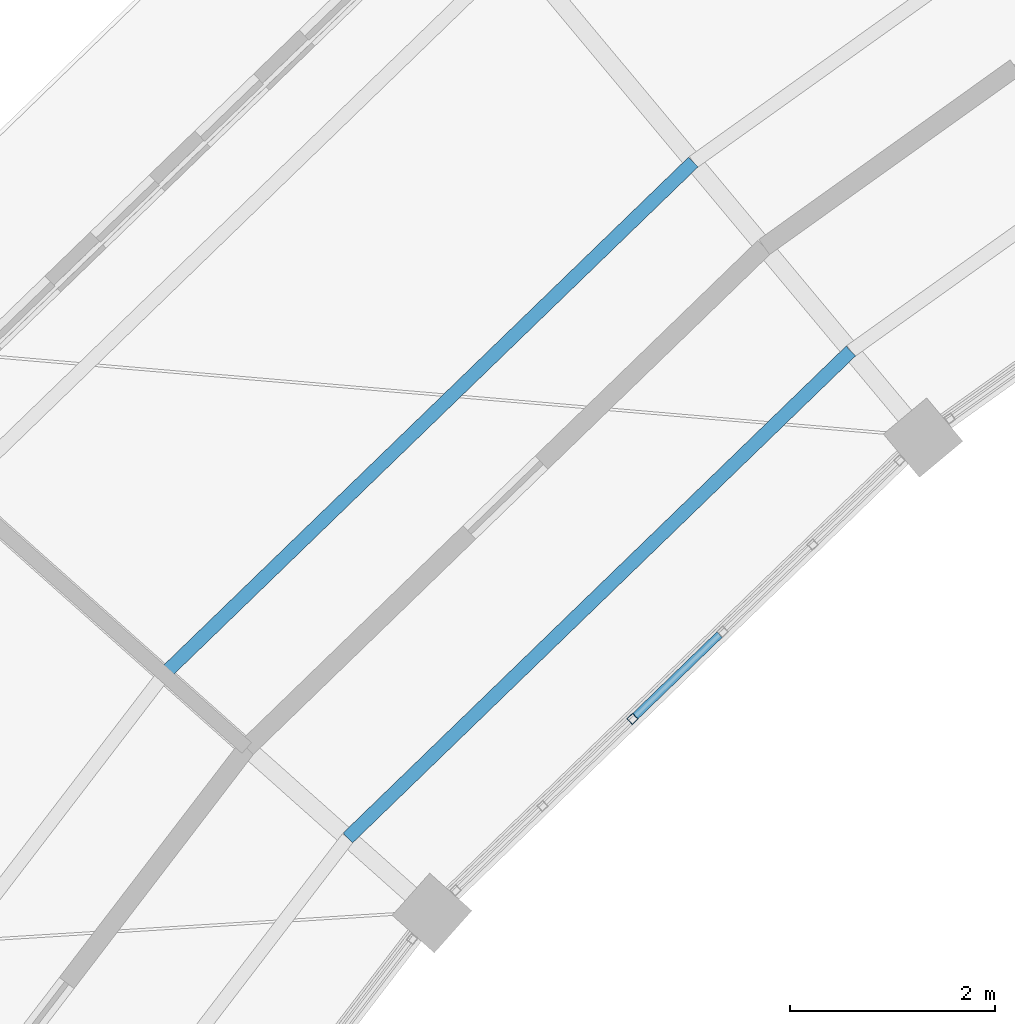
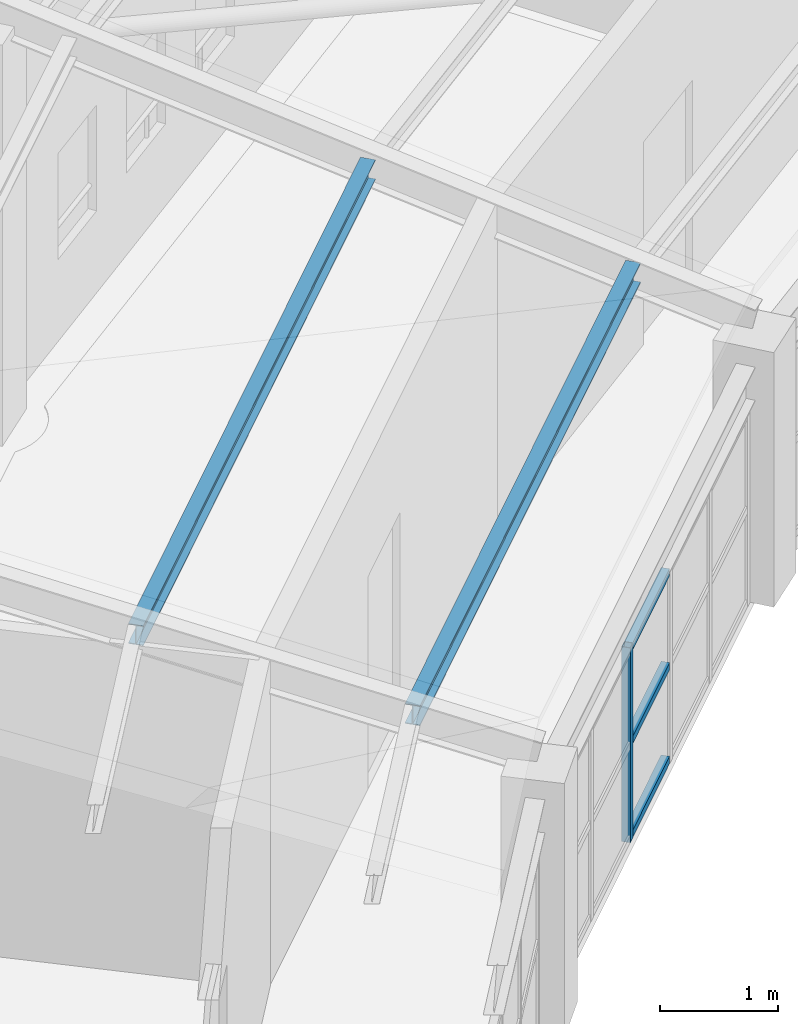
# One storey, part 72 of 149: 6 members, 1 element without a shape of its own.
"""IFC4 building model written with IfcOpenShell, lengths in metres."""

import ifcopenshell
import ifcopenshell.guid

model = None  # the IFC model being written
_history = None  # IfcOwnerHistory: only IFC2X3 demands one
_inside = {}  # id of a spatial element -> (the spatial element, [elements in it])
_under = {}  # id of a project, library or spatial element -> (it, [spatial elements below it])
_declared = {}  # id of a project -> (the project, [libraries it declares])
_typed = {}  # id of a type object -> (the type object, [elements of that type])
_made_of = {}  # id of a material, layer set ... -> (it, [elements and type objects made of it])


def new_model(schema):
    """Start an empty IFC model of exactly this schema.

    Asked for "IFC4X3", IfcOpenShell would pick the latest addendum, in which some entities
    have other attributes; the version numbers below select the first issue.
    IFC2X3 requires an IfcOwnerHistory on every rooted entity: one is made here for all.
    """
    global model, _history
    if schema == "IFC4X3":
        model = ifcopenshell.file(schema_version=(4, 3, 0, 0))
    else:
        model = ifcopenshell.file(schema=schema)
    _inside.clear()
    _under.clear()
    _declared.clear()
    _typed.clear()
    _made_of.clear()
    _history = None
    if model.schema == "IFC2X3":
        org = make("IfcOrganization", Name="unknown")
        user = make(
            "IfcPersonAndOrganization",
            ThePerson=make("IfcPerson", FamilyName="unknown"),
            TheOrganization=org,
        )
        app = make(
            "IfcApplication",
            ApplicationDeveloper=org,
            Version="unknown",
            ApplicationFullName="unknown",
            ApplicationIdentifier="unknown",
        )
        _history = make(
            "IfcOwnerHistory",
            OwningUser=user,
            OwningApplication=app,
            ChangeAction="ADDED",
            CreationDate=0,
        )
    return model


def make(cls, **values):
    """One entity of the class cls with the attributes given. An attribute that is None is left unset."""
    return model.create_entity(
        cls, **{name: value for name, value in values.items() if value is not None}
    )


def rooted(cls, **values):
    """An entity with a GlobalId (a new one), such as an element, a storey or a relation."""
    return make(cls, GlobalId=ifcopenshell.guid.new(), OwnerHistory=_history, **values)


def si_unit(unit_type, name, prefix=None):
    """IfcSIUnit, for example si_unit("LENGTHUNIT", "METRE", prefix="MILLI")."""
    return make("IfcSIUnit", UnitType=unit_type, Prefix=prefix, Name=name)


def assignment(units):
    """IfcUnitAssignment: the units of a project."""
    return None if units is None else make("IfcUnitAssignment", Units=units)


def point(xyz):
    """IfcCartesianPoint."""
    return None if xyz is None else make("IfcCartesianPoint", Coordinates=xyz)


def direction(xyz):
    """IfcDirection."""
    return None if xyz is None else make("IfcDirection", DirectionRatios=xyz)


def frame(location, z_axis=None, x_axis=None):
    """IfcAxis2Placement3D, a coordinate frame: its origin and axes. An axis left out is left unset."""
    return make(
        "IfcAxis2Placement3D",
        Location=point(location),
        Axis=direction(z_axis),
        RefDirection=direction(x_axis),
    )


def frame_2d(location, x_axis=None):
    """IfcAxis2Placement2D, a coordinate frame in the plane: its origin and x axis."""
    return make(
        "IfcAxis2Placement2D", Location=point(location), RefDirection=direction(x_axis)
    )


def origin():
    """The frame at (0, 0, 0) with its axes left unset."""
    return frame((0.0, 0.0, 0.0))


def origin_2d():
    """The frame at (0, 0) in the plane with its x axis left unset."""
    return frame_2d((0.0, 0.0))


def place(relative_to, where):
    """IfcLocalPlacement: puts the frame where relative to a parent placement (None: the world)."""
    return make(
        "IfcLocalPlacement", PlacementRelTo=relative_to, RelativePlacement=where
    )


def context(
    kind, dimensions, precision=None, world=None, true_north=None, identifier=None
):
    """IfcGeometricRepresentationContext, for example the 3D "Model" context."""
    return make(
        "IfcGeometricRepresentationContext",
        ContextIdentifier=identifier,
        ContextType=kind,
        CoordinateSpaceDimension=dimensions,
        Precision=precision,
        WorldCoordinateSystem=world,
        TrueNorth=true_north,
    )


def subcontext(parent, identifier, kind, view, scale=None):
    """IfcGeometricRepresentationSubContext, for example "Body" below "Model"."""
    return make(
        "IfcGeometricRepresentationSubContext",
        ContextIdentifier=identifier,
        ContextType=kind,
        ParentContext=parent,
        TargetScale=scale,
        TargetView=view,
    )


def project(units=None, contexts=None):
    """IfcProject with its units and contexts."""
    return rooted(
        "IfcProject",
        Name="project",
        RepresentationContexts=contexts,
        UnitsInContext=assignment(units),
    )


def spatial(cls, under=None, at=None, **own):
    """A site, building, storey or space (cls), placed at a placement, below another one or the project."""
    s = rooted(cls, ObjectPlacement=at, **own)
    if under is not None:
        _under.setdefault(under.id(), (under, []))[1].append(s)
    return s


def profile(cls, at=None, kind="AREA", **sizes):
    """A parametric profile (cls). Its sizes go by their IFC names, for example OverallWidth=200.0."""
    return make(cls, ProfileType=kind, Position=at, **sizes)


def hollow_rectangle(**sizes):
    """IfcRectangleHollowProfileDef."""
    return profile("IfcRectangleHollowProfileDef", **sizes)


def i_section(**sizes):
    """IfcIShapeProfileDef."""
    return profile("IfcIShapeProfileDef", **sizes)


def extrude(swept, where, along, depth):
    """IfcExtrudedAreaSolid: the profile swept, set in the frame where, extruded along a direction by depth."""
    return make(
        "IfcExtrudedAreaSolid",
        SweptArea=swept,
        Position=where,
        ExtrudedDirection=direction(along),
        Depth=depth,
    )


def shape(context_of_items, identifier, shape_type, items):
    """IfcShapeRepresentation: the items that make up one representation, for example the "Body"."""
    return make(
        "IfcShapeRepresentation",
        ContextOfItems=context_of_items,
        RepresentationIdentifier=identifier,
        RepresentationType=shape_type,
        Items=items,
    )


def material(Name=None, Category=None):
    """IfcMaterial."""
    return make("IfcMaterial", Name=Name, Category=Category)


def material_profile(
    of_material, cross_section, Name=None, Category=None, Priority=None
):
    """IfcMaterialProfile: a cross section and its material."""
    return make(
        "IfcMaterialProfile",
        Name=Name,
        Material=of_material,
        Profile=cross_section,
        Priority=Priority,
        Category=Category,
    )


def profile_set(profiles, Name=None, composite=None):
    """IfcMaterialProfileSet."""
    return make(
        "IfcMaterialProfileSet",
        Name=Name,
        MaterialProfiles=profiles,
        CompositeProfile=composite,
    )


def made_of(thing, what):
    """Note that an element or type object is made of a material, layer set ...; save() writes the relation."""
    if what is not None:
        _made_of.setdefault(what.id(), (what, []))[1].append(thing)
    return thing


def type_object(cls, material=None, **own):
    """A type object (cls), such as IfcWallType, which elements share."""
    return made_of(rooted(cls, **own), material)


def element(
    cls,
    number,
    at=None,
    inside=None,
    cuts=None,
    type_object=None,
    material=None,
    context=None,
    identifier="Body",
    shape_type=None,
    held_by="IfcProductDefinitionShape",
    body=None,
    shapes=None,
    **own,
):
    """One element of the class cls, such as IfcWall. Its Tag is "e" and its number.

    at: its placement. inside: the storey or other place that contains it. cuts: it is an
    opening in that element (IfcRelVoidsElement). A single representation is given by context,
    identifier, shape_type and body (its items); several are given by shapes. held_by: the class
    of the entity that holds the representations. save() writes the other relations.
    """
    e = rooted(cls, Tag="e%d" % number, ObjectPlacement=at, **own)
    if body is not None:
        shapes = [shape(context, identifier, shape_type, body)]
    if shapes is not None:
        e.Representation = make(held_by, Representations=shapes)
    if inside is not None:
        _inside.setdefault(inside.id(), (inside, []))[1].append(e)
    if cuts is not None:
        rooted(
            "IfcRelVoidsElement", RelatingBuildingElement=cuts, RelatedOpeningElement=e
        )
    if type_object is not None:
        _typed.setdefault(type_object.id(), (type_object, []))[1].append(e)
    return made_of(e, material)


def aggregate(whole, parts):
    """IfcRelAggregates: a whole, such as a stair, and the parts it consists of."""
    return rooted("IfcRelAggregates", RelatingObject=whole, RelatedObjects=parts)


def save(model, path):
    """Write the relations noted so far, then the file.

    IfcRelAggregates (storeys below a building ...), IfcRelContainedInSpatialStructure (elements
    in a storey), IfcRelDefinesByType, IfcRelAssociatesMaterial and IfcRelDeclares: one each for
    every whole, place, type object, material and project.
    """
    for whole, parts in _under.values():
        aggregate(whole, parts)
    for where, things in _inside.values():
        rooted(
            "IfcRelContainedInSpatialStructure",
            RelatedElements=things,
            RelatingStructure=where,
        )
    for kind, things in _typed.values():
        rooted("IfcRelDefinesByType", RelatedObjects=things, RelatingType=kind)
    for what, things in _made_of.values():
        rooted("IfcRelAssociatesMaterial", RelatedObjects=things, RelatingMaterial=what)
    for by, libraries in _declared.values():
        rooted("IfcRelDeclares", RelatingContext=by, RelatedDefinitions=libraries)
    model.write(path)


model = new_model("IFC4")

# Units and contexts
model_context = context("Model", 3, precision=1e-05, world=origin(), true_north=direction((0.0, 1.0)))
body_context = subcontext(model_context, "Body", "Model", "MODEL_VIEW")
ifc_project = project(units=[si_unit("LENGTHUNIT", "METRE"), si_unit("AREAUNIT", "SQUARE_METRE"), si_unit("VOLUMEUNIT", "CUBIC_METRE"), si_unit("PLANEANGLEUNIT", "RADIAN"), si_unit("MASSUNIT", "GRAM", prefix="KILO")], contexts=[model_context])

# Site, building, storey
site_placement = place(None, origin())
site = spatial("IfcSite", under=ifc_project, at=site_placement, CompositionType="ELEMENT")
building_placement = place(site_placement, origin())
building = spatial("IfcBuilding", under=site, at=building_placement, Name="Celadon Cloister-Ring School", CompositionType="ELEMENT")
storey_placement = place(building_placement, frame((0.0, 0.0, 12.5)))
storey = spatial("IfcBuildingStorey", under=building, at=storey_placement, Name="L03", CompositionType="ELEMENT", Elevation=12.5)

# Curtain wall, members
ifc_material_1 = material(Name="Aluminium EN AW-6063 T6", Category="aluminium")
curtain_wall_type = type_object("IfcCurtainWallType", Name="CW-02", PredefinedType="USERDEFINED", material=ifc_material_1)
curtain_wall_placement = place(storey_placement, origin())
curtain_wall = element("IfcCurtainWall", 1, at=curtain_wall_placement, inside=storey, type_object=curtain_wall_type, Name="Curtain Wall 0045", ObjectType="CURTAIN WALL", PredefinedType="USERDEFINED")
ifc_material_2 = material(Name="Aluminium EN AW-6063 T6", Category="aluminium")
ifc_material_profile_1 = material_profile(ifc_material_2, hollow_rectangle(XDim=0.080078125, YDim=0.080078125, WallThickness=0.00390625, at=origin_2d()), Name="RHS80X80X4")
ifc_profile_set_1 = profile_set([ifc_material_profile_1], Name="Aluminium EN AW-6063 T6")
member_type_1 = type_object("IfcMemberType", Name="CM-03", PredefinedType="MULLION", material=ifc_profile_set_1)
member_1_placement = place(storey_placement, frame((55.35107421875, 90.821533203125, 0.0), z_axis=(0.0, 0.0, 1.0), x_axis=(0.695473229624, -0.718552007078, 0.0)))
member_1 = element("IfcMember", 2, at=member_1_placement, type_object=member_type_1, Name="CW-02 mullion 4", PredefinedType="MULLION", context=body_context, shape_type="SweptSolid", body=[
    extrude(hollow_rectangle(XDim=0.080078125, YDim=0.080078125, WallThickness=0.00390625, at=origin_2d()), origin(), (0.0, 0.0, 1.0), 2.02001953125),
])
ifc_material_3 = material(Name="Aluminium EN AW-6063 T6", Category="aluminium")
ifc_material_profile_2 = material_profile(ifc_material_3, hollow_rectangle(XDim=0.074951171875, YDim=0.074951171875, WallThickness=0.00390625, at=origin_2d()), Name="RHS75X75X4")
ifc_profile_set_2 = profile_set([ifc_material_profile_2], Name="Aluminium EN AW-6063 T6")
member_type_2 = type_object("IfcMemberType", Name="CTM-03", PredefinedType="USERDEFINED", material=ifc_profile_set_2)
member_2_placement = place(storey_placement, frame((56.2001953125, 91.6435546875, 0.03759765625), z_axis=(-0.718557336857, -0.695467722938, 0.0), x_axis=(0.695467722938, -0.718557336857, 0.0)))
member_2 = element("IfcMember", 3, at=member_2_placement, type_object=member_type_2, Name="CW-02 transom 3.1", ObjectType="TRANSOM", PredefinedType="USERDEFINED", context=body_context, shape_type="SweptSolid", body=[
    extrude(hollow_rectangle(XDim=0.074951171875, YDim=0.074951171875, WallThickness=0.00390625, at=origin_2d()), origin(), (0.0, 0.0, 1.0), 1.141845703125),
])
member_3_placement = place(storey_placement, frame((56.2001953125, 91.6435546875, 1.010009765625), z_axis=(-0.718557336857, -0.695467722938, 0.0), x_axis=(0.695467722938, -0.718557336857, 0.0)))
member_3 = element("IfcMember", 4, at=member_3_placement, type_object=member_type_2, Name="CW-02 transom 3.2", ObjectType="TRANSOM", PredefinedType="USERDEFINED", context=body_context, shape_type="SweptSolid", body=[
    extrude(hollow_rectangle(XDim=0.074951171875, YDim=0.074951171875, WallThickness=0.00390625, at=origin_2d()), origin(), (0.0, 0.0, 1.0), 1.141845703125),
])
member_4_placement = place(storey_placement, frame((56.2001953125, 91.6435546875, 1.982421875), z_axis=(-0.718557336857, -0.695467722938, 0.0), x_axis=(0.695467722938, -0.718557336857, 0.0)))
member_4 = element("IfcMember", 5, at=member_4_placement, type_object=member_type_2, Name="CW-02 transom 3.3", ObjectType="TRANSOM", PredefinedType="USERDEFINED", context=body_context, shape_type="SweptSolid", body=[
    extrude(hollow_rectangle(XDim=0.074951171875, YDim=0.074951171875, WallThickness=0.00390625, at=origin_2d()), origin(), (0.0, 0.0, 1.0), 1.141845703125),
])
aggregate(curtain_wall, [member_1, member_2, member_3, member_4])

# Members
ifc_material_4 = material(Name="Structural steel S355JR", Category="steel")
ifc_material_profile_3 = material_profile(ifc_material_4, i_section(OverallWidth=0.133056640625, OverallDepth=0.20703125, WebThickness=0.005859375, FlangeThickness=0.00830078125, at=origin_2d()), Name="W200X27")
ifc_profile_set_3 = profile_set([ifc_material_profile_3], Name="Structural steel S355JR")
member_type_3 = type_object("IfcMemberType", Name="MP-04", PredefinedType="PURLIN", material=ifc_profile_set_3)
member_5_placement = place(storey_placement, frame((57.48095703125, 94.409912109375, 2.970947265625), z_axis=(-0.718506473023, -0.695520271612, 0.0), x_axis=(0.695520271612, -0.718506473023, 0.0)))
element("IfcMember", 6, at=member_5_placement, inside=storey, type_object=member_type_3, Name="Structural Member 0081", PredefinedType="PURLIN", context=body_context, shape_type="SweptSolid", body=[
    extrude(i_section(OverallWidth=0.133056640625, OverallDepth=0.20703125, WebThickness=0.005859375, FlangeThickness=0.00830078125, at=origin_2d()), origin(), (0.0, 0.0, 1.0), 6.829345703125),
])
member_6_placement = place(storey_placement, frame((55.944091796875, 96.2529296875, 3.4599609375), z_axis=(-0.718581874737, -0.695442369503, 0.0), x_axis=(0.695442369503, -0.718581874737, 0.0)))
element("IfcMember", 7, at=member_6_placement, inside=storey, type_object=member_type_3, Name="Structural Member 0082", PredefinedType="PURLIN", context=body_context, shape_type="SweptSolid", body=[
    extrude(i_section(OverallWidth=0.133056640625, OverallDepth=0.20703125, WebThickness=0.005859375, FlangeThickness=0.00830078125, at=origin_2d()), origin(), (0.0, 0.0, 1.0), 7.18505859375),
])

save(model, "model.ifc")
